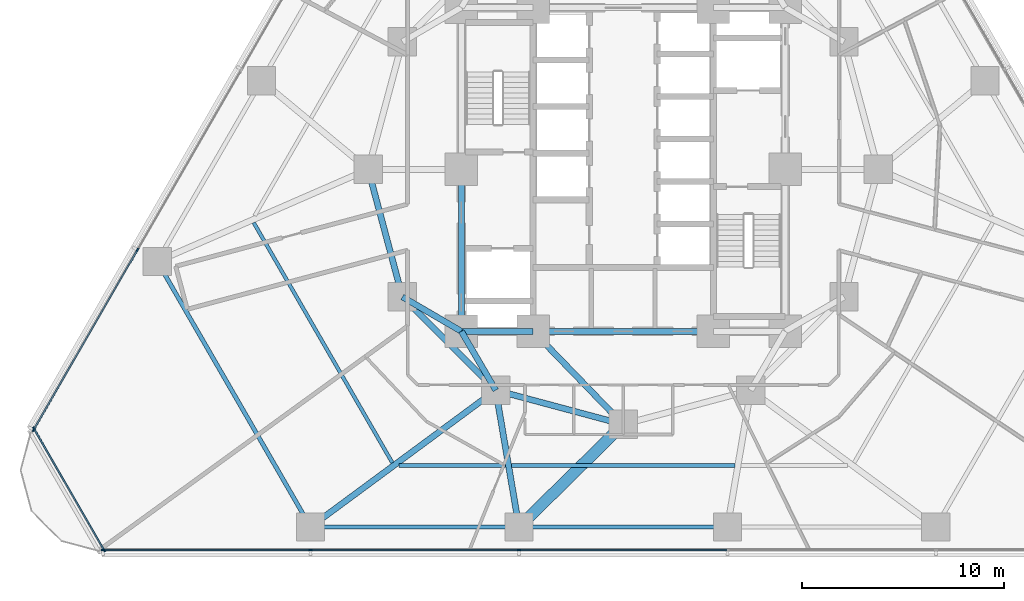
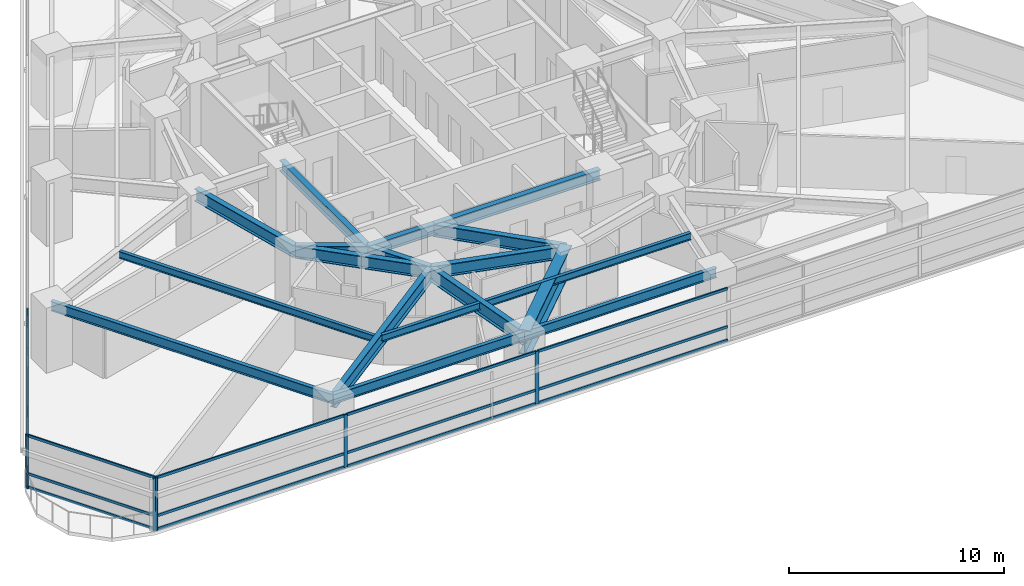
# One storey, part 2 of 16: 22 members, 18 beams, 3 elements without a shape of their own.
"""IFC4 building model written with IfcOpenShell, lengths in metres."""

from ifc_helpers import new_model, si_unit, direction, frame, origin, origin_2d, place, context, subcontext, project, spatial, rectangle, i_section, extrude, material, layer, layer_set, material_profile, profile_set, type_object, element, aggregate, save


model = new_model("IFC4")

# Units and contexts
model_context = context("Model", 3, precision=1e-05, world=origin(), true_north=direction((0.0, 1.0)))
body_context = subcontext(model_context, "Body", "Model", "MODEL_VIEW")
ifc_project = project(units=[si_unit("LENGTHUNIT", "METRE"), si_unit("AREAUNIT", "SQUARE_METRE"), si_unit("VOLUMEUNIT", "CUBIC_METRE"), si_unit("PLANEANGLEUNIT", "RADIAN"), si_unit("MASSUNIT", "GRAM", prefix="KILO")], contexts=[model_context])

# Site, building, storey
site_placement = place(None, origin())
site = spatial("IfcSite", under=ifc_project, at=site_placement, CompositionType="ELEMENT")
building_placement = place(site_placement, origin())
building = spatial("IfcBuilding", under=site, at=building_placement, Name="Terralouvre Media Tower", CompositionType="ELEMENT")
storey_placement = place(building_placement, frame((0.0, 0.0, 40.800048828125)))
storey = spatial("IfcBuildingStorey", under=building, at=storey_placement, Name="L09", CompositionType="ELEMENT", Elevation=40.800048828125)

# Beams
ifc_material_1 = material(Name="Structural steel S355J2", Category="steel")
ifc_material_profile_1 = material_profile(ifc_material_1, i_section(OverallWidth=0.179931640625, OverallDepth=0.39990234375, WebThickness=0.008544921875, FlangeThickness=0.013427734375, at=origin_2d()), Name="IPE 400")
ifc_profile_set_1 = profile_set([ifc_material_profile_1], Name="Structural steel S355J2")
beam_type_1 = type_object("IfcBeamType", Name="Composite Floor Joist J-IPE400 (IPE 400)", PredefinedType="JOIST", material=ifc_profile_set_1)
beam_1_placement = place(storey_placement, frame((-18.2587890625, -2.630615234375, 3.300048828125), z_axis=(0.500011895338, -0.866018535899, 0.0), x_axis=(0.866018535899, 0.500011895338, 0.0)))
element("IfcBeam", 1, at=beam_1_placement, inside=storey, type_object=beam_type_1, Name="L09 Framing Beam JT-L09-01", PredefinedType="JOIST", context=body_context, shape_type="SweptSolid", body=[
    extrude(i_section(OverallWidth=0.179931640625, OverallDepth=0.39990234375, WebThickness=0.008544921875, FlangeThickness=0.013427734375, at=origin_2d()), origin(), (0.0, 0.0, 1.0), 13.702392578125),
])
beam_2_placement = place(storey_placement, frame((-11.08203125, -14.627197265625, 3.300048828125), z_axis=(1.0, 0.0, 0.0), x_axis=(0.0, 1.0, 0.0)))
element("IfcBeam", 2, at=beam_2_placement, inside=storey, type_object=beam_type_1, Name="L09 Framing Beam JT-L09-02", PredefinedType="JOIST", context=body_context, shape_type="SweptSolid", body=[
    extrude(i_section(OverallWidth=0.179931640625, OverallDepth=0.39990234375, WebThickness=0.008544921875, FlangeThickness=0.013427734375, at=origin_2d()), origin(), (0.0, 0.0, 1.0), 5.264404296875),
])
beam_3_placement = place(storey_placement, frame((-5.517333984375, -14.627197265625, 3.300048828125), z_axis=(1.0, 0.0, 0.0), x_axis=(0.0, 1.0, 0.0)))
element("IfcBeam", 3, at=beam_3_placement, inside=storey, type_object=beam_type_1, Name="L09 Framing Beam JT-L09-03", PredefinedType="JOIST", context=body_context, shape_type="SweptSolid", body=[
    extrude(i_section(OverallWidth=0.179931640625, OverallDepth=0.39990234375, WebThickness=0.008544921875, FlangeThickness=0.013427734375, at=origin_2d()), origin(), (0.0, 0.0, 1.0), 11.03466796875),
])

# Curtain wall, members
ifc_material_2 = material(Name="Low-iron laminated double glazing with solar-control coating", Category="glass")
ifc_layer_1 = layer(ifc_material_2, 0.1650390625, Name="Lower Media Tower Unitised Curtain Wall CW-02")
ifc_layer_set_1 = layer_set([ifc_layer_1], Name="Low-iron laminated double glazing with solar-control coating")
curtain_wall_type_1 = type_object("IfcCurtainWallType", Name="Lower Media Tower Unitised Curtain Wall CW-02", PredefinedType="NOTDEFINED", material=ifc_layer_set_1)
curtain_wall_1_placement = place(storey_placement, origin())
curtain_wall_1 = element("IfcCurtainWall", 4, at=curtain_wall_1_placement, inside=storey, type_object=curtain_wall_type_1, Name="L09 Facade Curtain Wall F0", PredefinedType="NOTDEFINED")
ifc_material_3 = material(Name="Anodised extruded aluminium 6063-T6", Category="aluminium")
ifc_material_profile_2 = material_profile(ifc_material_3, rectangle(XDim=0.074951171875, YDim=0.14990234375, at=origin_2d()), Name="ALU 75x150")
ifc_profile_set_2 = profile_set([ifc_material_profile_2], Name="Anodised extruded aluminium 6063-T6")
member_type_1 = type_object("IfcMemberType", Name="Curtain-Wall Horizontal Transom TR-150", PredefinedType="USERDEFINED", material=ifc_profile_set_2)
member_1_placement = place(storey_placement, frame((-25.675048828125, -18.796875, 0.037353515625), z_axis=(1.0, 0.0, 0.0), x_axis=(0.0, 1.0, 0.0)))
member_1 = element("IfcMember", 5, at=member_1_placement, type_object=member_type_1, Name="CW-02 transom 1.1", ObjectType="TRANSOM", PredefinedType="USERDEFINED", context=body_context, shape_type="SweptSolid", body=[
    extrude(rectangle(XDim=0.074951171875, YDim=0.14990234375, at=origin_2d()), origin(), (0.0, 0.0, 1.0), 10.1875),
])
member_2_placement = place(storey_placement, frame((-25.675048828125, -18.796875, 0.800048828125), z_axis=(1.0, 0.0, 0.0), x_axis=(0.0, 1.0, 0.0)))
member_2 = element("IfcMember", 6, at=member_2_placement, type_object=member_type_1, Name="CW-02 transom 1.2", ObjectType="TRANSOM", PredefinedType="USERDEFINED", context=body_context, shape_type="SweptSolid", body=[
    extrude(rectangle(XDim=0.074951171875, YDim=0.14990234375, at=origin_2d()), origin(), (0.0, 0.0, 1.0), 10.1875),
])
member_3_placement = place(storey_placement, frame((-25.675048828125, -18.796875, 2.96240234375), z_axis=(1.0, 0.0, 0.0), x_axis=(0.0, 1.0, 0.0)))
member_3 = element("IfcMember", 7, at=member_3_placement, type_object=member_type_1, Name="CW-02 transom 1.3", ObjectType="TRANSOM", PredefinedType="USERDEFINED", context=body_context, shape_type="SweptSolid", body=[
    extrude(rectangle(XDim=0.074951171875, YDim=0.14990234375, at=origin_2d()), origin(), (0.0, 0.0, 1.0), 10.1875),
])
member_4_placement = place(storey_placement, frame((-15.41259765625, -18.796875, 0.037353515625), z_axis=(1.0, 0.0, 0.0), x_axis=(0.0, 1.0, 0.0)))
member_4 = element("IfcMember", 8, at=member_4_placement, type_object=member_type_1, Name="CW-02 transom 2.1", ObjectType="TRANSOM", PredefinedType="USERDEFINED", context=body_context, shape_type="SweptSolid", body=[
    extrude(rectangle(XDim=0.074951171875, YDim=0.14990234375, at=origin_2d()), origin(), (0.0, 0.0, 1.0), 10.22509765625),
])
member_5_placement = place(storey_placement, frame((-15.41259765625, -18.796875, 0.800048828125), z_axis=(1.0, 0.0, 0.0), x_axis=(0.0, 1.0, 0.0)))
member_5 = element("IfcMember", 9, at=member_5_placement, type_object=member_type_1, Name="CW-02 transom 2.2", ObjectType="TRANSOM", PredefinedType="USERDEFINED", context=body_context, shape_type="SweptSolid", body=[
    extrude(rectangle(XDim=0.074951171875, YDim=0.14990234375, at=origin_2d()), origin(), (0.0, 0.0, 1.0), 10.22509765625),
])
member_6_placement = place(storey_placement, frame((-15.41259765625, -18.796875, 2.96240234375), z_axis=(1.0, 0.0, 0.0), x_axis=(0.0, 1.0, 0.0)))
member_6 = element("IfcMember", 10, at=member_6_placement, type_object=member_type_1, Name="CW-02 transom 2.3", ObjectType="TRANSOM", PredefinedType="USERDEFINED", context=body_context, shape_type="SweptSolid", body=[
    extrude(rectangle(XDim=0.074951171875, YDim=0.14990234375, at=origin_2d()), origin(), (0.0, 0.0, 1.0), 10.22509765625),
])
member_7_placement = place(storey_placement, frame((-5.112548828125, -18.796875, 0.037353515625), z_axis=(1.0, 0.0, 0.0), x_axis=(0.0, 1.0, 0.0)))
member_7 = element("IfcMember", 11, at=member_7_placement, type_object=member_type_1, Name="CW-02 transom 3.1", ObjectType="TRANSOM", PredefinedType="USERDEFINED", context=body_context, shape_type="SweptSolid", body=[
    extrude(rectangle(XDim=0.074951171875, YDim=0.14990234375, at=origin_2d()), origin(), (0.0, 0.0, 1.0), 10.22509765625),
])
member_8_placement = place(storey_placement, frame((-5.112548828125, -18.796875, 0.800048828125), z_axis=(1.0, 0.0, 0.0), x_axis=(0.0, 1.0, 0.0)))
member_8 = element("IfcMember", 12, at=member_8_placement, type_object=member_type_1, Name="CW-02 transom 3.2", ObjectType="TRANSOM", PredefinedType="USERDEFINED", context=body_context, shape_type="SweptSolid", body=[
    extrude(rectangle(XDim=0.074951171875, YDim=0.14990234375, at=origin_2d()), origin(), (0.0, 0.0, 1.0), 10.22509765625),
])
member_9_placement = place(storey_placement, frame((-5.112548828125, -18.796875, 2.96240234375), z_axis=(1.0, 0.0, 0.0), x_axis=(0.0, 1.0, 0.0)))
member_9 = element("IfcMember", 13, at=member_9_placement, type_object=member_type_1, Name="CW-02 transom 3.3", ObjectType="TRANSOM", PredefinedType="USERDEFINED", context=body_context, shape_type="SweptSolid", body=[
    extrude(rectangle(XDim=0.074951171875, YDim=0.14990234375, at=origin_2d()), origin(), (0.0, 0.0, 1.0), 10.22509765625),
])

curtain_wall_2_placement = place(storey_placement, origin())
curtain_wall_2 = element("IfcCurtainWall", 14, at=curtain_wall_2_placement, inside=storey, type_object=curtain_wall_type_1, Name="L09 Facade Curtain Wall F2", PredefinedType="NOTDEFINED")
member_10_placement = place(storey_placement, frame((-24.022216796875, -4.01416015625, 0.037353515625), z_axis=(-0.499994895054, -0.866028351106, 0.0), x_axis=(0.866028351106, -0.499994895054, 0.0)))
member_10 = element("IfcMember", 15, at=member_10_placement, type_object=member_type_1, Name="CW-02 transom 5.1", ObjectType="TRANSOM", PredefinedType="USERDEFINED", context=body_context, shape_type="SweptSolid", body=[
    extrude(rectangle(XDim=0.074951171875, YDim=0.14990234375, at=origin_2d()), origin(), (0.0, 0.0, 1.0), 10.1875),
])
member_11_placement = place(storey_placement, frame((-24.022216796875, -4.01416015625, 0.800048828125), z_axis=(-0.499994895054, -0.866028351106, 0.0), x_axis=(0.866028351106, -0.499994895054, 0.0)))
member_11 = element("IfcMember", 16, at=member_11_placement, type_object=member_type_1, Name="CW-02 transom 5.2", ObjectType="TRANSOM", PredefinedType="USERDEFINED", context=body_context, shape_type="SweptSolid", body=[
    extrude(rectangle(XDim=0.074951171875, YDim=0.14990234375, at=origin_2d()), origin(), (0.0, 0.0, 1.0), 10.1875),
])
member_12_placement = place(storey_placement, frame((-24.022216796875, -4.01416015625, 2.96240234375), z_axis=(-0.499994895054, -0.866028351106, 0.0), x_axis=(0.866028351106, -0.499994895054, 0.0)))
member_12 = element("IfcMember", 17, at=member_12_placement, type_object=member_type_1, Name="CW-02 transom 5.3", ObjectType="TRANSOM", PredefinedType="USERDEFINED", context=body_context, shape_type="SweptSolid", body=[
    extrude(rectangle(XDim=0.074951171875, YDim=0.14990234375, at=origin_2d()), origin(), (0.0, 0.0, 1.0), 10.1875),
])

ifc_material_4 = material(Name="Low-iron laminated double glazing with solar-control coating", Category="glass")
ifc_layer_2 = layer(ifc_material_4, 0.1650390625, Name="Rounded Wind-Corner Curved Glazing CW-04")
ifc_layer_set_2 = layer_set([ifc_layer_2], Name="Low-iron laminated double glazing with solar-control coating")
curtain_wall_type_2 = type_object("IfcCurtainWallType", Name="Rounded Wind-Corner Curved Glazing CW-04", PredefinedType="NOTDEFINED", material=ifc_layer_set_2)
curtain_wall_3_placement = place(storey_placement, origin())
curtain_wall_3 = element("IfcCurtainWall", 18, at=curtain_wall_3_placement, inside=storey, type_object=curtain_wall_type_2, Name="L09 Rounded Wind-Corner Curtain Wall C0", PredefinedType="NOTDEFINED")
member_13_placement = place(storey_placement, frame((-29.0986328125, -12.836669921875, 0.037353515625), z_axis=(0.499998495495, -0.866026272409, 0.0), x_axis=(0.866026272409, 0.499998495495, 0.0)))
member_13 = element("IfcMember", 19, at=member_13_placement, type_object=member_type_1, Name="CW-04 transom 1.1", ObjectType="TRANSOM", PredefinedType="USERDEFINED", context=body_context, shape_type="SweptSolid", body=[
    extrude(rectangle(XDim=0.074951171875, YDim=0.14990234375, at=origin_2d()), origin(), (0.0, 0.0, 1.0), 6.86474609375),
])
member_14_placement = place(storey_placement, frame((-29.0986328125, -12.836669921875, 0.800048828125), z_axis=(0.499998495495, -0.866026272409, 0.0), x_axis=(0.866026272409, 0.499998495495, 0.0)))
member_14 = element("IfcMember", 20, at=member_14_placement, type_object=member_type_1, Name="CW-04 transom 1.2", ObjectType="TRANSOM", PredefinedType="USERDEFINED", context=body_context, shape_type="SweptSolid", body=[
    extrude(rectangle(XDim=0.074951171875, YDim=0.14990234375, at=origin_2d()), origin(), (0.0, 0.0, 1.0), 6.86474609375),
])
member_15_placement = place(storey_placement, frame((-29.0986328125, -12.836669921875, 2.96240234375), z_axis=(0.499998495495, -0.866026272409, 0.0), x_axis=(0.866026272409, 0.499998495495, 0.0)))
member_15 = element("IfcMember", 21, at=member_15_placement, type_object=member_type_1, Name="CW-04 transom 1.3", ObjectType="TRANSOM", PredefinedType="USERDEFINED", context=body_context, shape_type="SweptSolid", body=[
    extrude(rectangle(XDim=0.074951171875, YDim=0.14990234375, at=origin_2d()), origin(), (0.0, 0.0, 1.0), 6.86474609375),
])

# Member
ifc_material_5 = material(Name="Anodised extruded aluminium 6063-T6", Category="aluminium")
ifc_material_profile_3 = material_profile(ifc_material_5, rectangle(XDim=0.074951171875, YDim=0.179931640625, at=origin_2d()), Name="ALU 75x180")
ifc_profile_set_3 = profile_set([ifc_material_profile_3], Name="Anodised extruded aluminium 6063-T6")
member_type_2 = type_object("IfcMemberType", Name="Curtain-Wall Vertical Mullion ML-180", PredefinedType="MULLION", material=ifc_profile_set_3)
member_16_placement = place(storey_placement, frame((-25.71240234375, -18.796875, 0.0), z_axis=(0.0, 0.0, 1.0), x_axis=(0.0, 1.0, 0.0)))
member_16 = element("IfcMember", 22, at=member_16_placement, type_object=member_type_2, Name="CW-02 mullion 1", PredefinedType="MULLION", context=body_context, shape_type="SweptSolid", body=[
    extrude(rectangle(XDim=0.074951171875, YDim=0.179931640625, at=origin_2d()), origin(), (0.0, 0.0, 1.0), 3.0),
])

member_17_placement = place(storey_placement, frame((-15.449951171875, -18.796875, 0.0), z_axis=(0.0, 0.0, 1.0), x_axis=(0.0, 1.0, 0.0)))
member_17 = element("IfcMember", 23, at=member_17_placement, type_object=member_type_2, Name="CW-02 mullion 2", PredefinedType="MULLION", context=body_context, shape_type="SweptSolid", body=[
    extrude(rectangle(XDim=0.074951171875, YDim=0.179931640625, at=origin_2d()), origin(), (0.0, 0.0, 1.0), 3.0),
])

member_18_placement = place(storey_placement, frame((-5.14990234375, -18.796875, 0.0), z_axis=(0.0, 0.0, 1.0), x_axis=(0.0, 1.0, 0.0)))
member_18 = element("IfcMember", 24, at=member_18_placement, type_object=member_type_2, Name="CW-02 mullion 3", PredefinedType="MULLION", context=body_context, shape_type="SweptSolid", body=[
    extrude(rectangle(XDim=0.074951171875, YDim=0.179931640625, at=origin_2d()), origin(), (0.0, 0.0, 1.0), 3.0),
])

aggregate(curtain_wall_1, [member_16, member_17, member_18, member_1, member_2, member_3, member_4, member_5, member_6, member_7, member_8, member_9])

member_19_placement = place(storey_placement, frame((-24.00341796875, -3.981689453125, 0.0), z_axis=(0.0, 0.0, 1.0), x_axis=(0.866025412057, -0.499999985671, 0.0)))
member_19 = element("IfcMember", 25, at=member_19_placement, type_object=member_type_2, Name="CW-02 mullion 5", PredefinedType="MULLION", context=body_context, shape_type="SweptSolid", body=[
    extrude(rectangle(XDim=0.074951171875, YDim=0.179931640625, at=origin_2d()), origin(), (0.0, 0.0, 1.0), 3.0),
])

member_20_placement = place(storey_placement, frame((-29.134765625, -12.869384765625, 0.0), z_axis=(0.0, 0.0, 1.0), x_axis=(0.866025412057, -0.499999985671, 0.0)))
member_20 = element("IfcMember", 26, at=member_20_placement, type_object=member_type_2, Name="CW-02 mullion 6", PredefinedType="MULLION", context=body_context, shape_type="SweptSolid", body=[
    extrude(rectangle(XDim=0.074951171875, YDim=0.179931640625, at=origin_2d()), origin(), (0.0, 0.0, 1.0), 3.0),
])

aggregate(curtain_wall_2, [member_19, member_20, member_10, member_11, member_12])

member_21_placement = place(storey_placement, frame((-29.117431640625, -12.80419921875, 0.0), z_axis=(0.0, 0.0, 1.0), x_axis=(0.866025581895, 0.499999691503, 0.0)))
member_21 = element("IfcMember", 27, at=member_21_placement, type_object=member_type_2, Name="CW-04 mullion 1", PredefinedType="MULLION", context=body_context, shape_type="SweptSolid", body=[
    extrude(rectangle(XDim=0.074951171875, YDim=0.179931640625, at=origin_2d()), origin(), (0.0, 0.0, 1.0), 3.0),
])

member_22_placement = place(storey_placement, frame((-25.6474609375, -18.814208984375, 0.0), z_axis=(0.0, 0.0, 1.0), x_axis=(0.866025581895, 0.499999691503, 0.0)))
member_22 = element("IfcMember", 28, at=member_22_placement, type_object=member_type_2, Name="CW-04 mullion 2", PredefinedType="MULLION", context=body_context, shape_type="SweptSolid", body=[
    extrude(rectangle(XDim=0.074951171875, YDim=0.179931640625, at=origin_2d()), origin(), (0.0, 0.0, 1.0), 3.0),
])

aggregate(curtain_wall_3, [member_21, member_22, member_13, member_14, member_15])

# Beams
ifc_material_6 = material(Name="Structural steel S355J2", Category="steel")
ifc_material_profile_4 = material_profile(ifc_material_6, i_section(OverallWidth=0.2099609375, OverallDepth=0.550048828125, WebThickness=0.010986328125, FlangeThickness=0.01708984375, at=origin_2d()), Name="IPE 550")
ifc_profile_set_4 = profile_set([ifc_material_profile_4], Name="Structural steel S355J2")
beam_type_2 = type_object("IfcBeamType", Name="Perimeter Spandrel Beam SPB-550 (IPE 550)", PredefinedType="SPANDREL", material=ifc_profile_set_4)
beam_4_placement = place(storey_placement, frame((-23.02490234375, -4.546630859375, 3.224853515625), z_axis=(0.500002375365, -0.866024032363, 0.0), x_axis=(0.866024032363, 0.500002375365, 0.0)))
element("IfcBeam", 29, at=beam_4_placement, inside=storey, type_object=beam_type_2, Name="L09 Framing Beam BM-L09-PR01", PredefinedType="SPANDREL", context=body_context, shape_type="SweptSolid", body=[
    extrude(i_section(OverallWidth=0.2099609375, OverallDepth=0.550048828125, WebThickness=0.010986328125, FlangeThickness=0.01708984375, at=origin_2d()), origin(), (0.0, 0.0, 1.0), 15.14990234375),
])
beam_5_placement = place(storey_placement, frame((-15.449951171875, -17.666748046875, 3.224853515625), z_axis=(1.0, 0.0, 0.0), x_axis=(0.0, 1.0, 0.0)))
element("IfcBeam", 30, at=beam_5_placement, inside=storey, type_object=beam_type_2, Name="L09 Framing Beam BM-L09-PR02", PredefinedType="SPANDREL", context=body_context, shape_type="SweptSolid", body=[
    extrude(i_section(OverallWidth=0.2099609375, OverallDepth=0.550048828125, WebThickness=0.010986328125, FlangeThickness=0.01708984375, at=origin_2d()), origin(), (0.0, 0.0, 1.0), 10.300048828125),
])
beam_6_placement = place(storey_placement, frame((-5.14990234375, -17.666748046875, 3.21484375), z_axis=(1.0, 0.0, 0.0), x_axis=(0.0, 1.0, 0.0)))
element("IfcBeam", 31, at=beam_6_placement, inside=storey, type_object=beam_type_2, Name="L09 Framing Beam BM-L09-PR03", PredefinedType="SPANDREL", context=body_context, shape_type="SweptSolid", body=[
    extrude(i_section(OverallWidth=0.2099609375, OverallDepth=0.550048828125, WebThickness=0.010986328125, FlangeThickness=0.01708984375, at=origin_2d()), origin(), (0.0, 0.0, 1.0), 10.2998046875),
])
ifc_material_7 = material(Name="Structural steel S460M", Category="steel")
ifc_material_profile_5 = material_profile(ifc_material_7, i_section(OverallWidth=0.300048828125, OverallDepth=0.60009765625, WebThickness=0.015380859375, FlangeThickness=0.030029296875, at=origin_2d()), Name="HEB 600")
ifc_profile_set_5 = profile_set([ifc_material_profile_5], Name="Structural steel S460M")
beam_type_3 = type_object("IfcBeamType", Name="Primary Floor Girder B-HEB600 (HEB 600)", PredefinedType="BEAM", material=ifc_profile_set_5)
beam_7_placement = place(storey_placement, frame((-8.0, -8.0, 3.199951171875), z_axis=(1.0, 0.0, 0.0), x_axis=(0.0, 1.0, 0.0)))
element("IfcBeam", 32, at=beam_7_placement, inside=storey, type_object=beam_type_3, Name="L09 Framing Beam BM-L09-CPR01", PredefinedType="BEAM", context=body_context, shape_type="SweptSolid", body=[
    extrude(i_section(OverallWidth=0.300048828125, OverallDepth=0.60009765625, WebThickness=0.015380859375, FlangeThickness=0.030029296875, at=origin_2d()), origin(), (0.0, 0.0, 1.0), 3.550048828125),
])
beam_8_placement = place(storey_placement, frame((-4.449951171875, -8.0, 3.199951171875), z_axis=(1.0, 0.0, 0.0), x_axis=(0.0, 1.0, 0.0)))
element("IfcBeam", 33, at=beam_8_placement, inside=storey, type_object=beam_type_3, Name="L09 Framing Beam BM-L09-CPR02", PredefinedType="BEAM", context=body_context, shape_type="SweptSolid", body=[
    extrude(i_section(OverallWidth=0.300048828125, OverallDepth=0.60009765625, WebThickness=0.015380859375, FlangeThickness=0.030029296875, at=origin_2d()), origin(), (0.0, 0.0, 1.0), 8.89990234375),
])
beam_9_placement = place(storey_placement, frame((-8.0, 0.0, 3.199951171875), z_axis=(0.0, -1.0, 0.0), x_axis=(1.0, 0.0, 0.0)))
element("IfcBeam", 34, at=beam_9_placement, inside=storey, type_object=beam_type_3, Name="L09 Framing Beam BM-L09-CPR10", PredefinedType="BEAM", context=body_context, shape_type="SweptSolid", body=[
    extrude(i_section(OverallWidth=0.300048828125, OverallDepth=0.60009765625, WebThickness=0.015380859375, FlangeThickness=0.030029296875, at=origin_2d()), origin(), (0.0, 0.0, 1.0), 8.0),
])
ifc_material_8 = material(Name="Structural steel S460M", Category="steel")
ifc_material_profile_6 = material_profile(ifc_material_8, i_section(OverallWidth=0.300048828125, OverallDepth=0.699951171875, WebThickness=0.01708984375, FlangeThickness=0.031982421875, at=origin_2d()), Name="HEB 700")
ifc_profile_set_6 = profile_set([ifc_material_profile_6], Name="Structural steel S460M")
beam_type_4 = type_object("IfcBeamType", Name="Primary Floor Girder B-HEB700 (HEB 700)", PredefinedType="BEAM", material=ifc_profile_set_6)
beam_10_placement = place(storey_placement, frame((-10.911865234375, -6.300048828125, 3.14990234375), z_axis=(0.707106781187, -0.707106781187, 0.0), x_axis=(0.707106781187, 0.707106781187, 0.0)))
element("IfcBeam", 35, at=beam_10_placement, inside=storey, type_object=beam_type_4, Name="L09 Framing Beam BM-L09-MR01", PredefinedType="BEAM", context=body_context, shape_type="SweptSolid", body=[
    extrude(i_section(OverallWidth=0.300048828125, OverallDepth=0.699951171875, WebThickness=0.01708984375, FlangeThickness=0.031982421875, at=origin_2d()), origin(), (0.0, 0.0, 1.0), 6.52197265625),
])
for number, where, z_axis, x_axis, name in (
    (36, (-6.300048828125, -10.911865234375, 3.14990234375), (0.965920481897, -0.258838989821, 0.0), (0.258838989821, 0.965920481897, 0.0), "L09 Framing Beam BM-L09-MR02"),
    (37, (-12.60009765625, 0.0, 3.14990234375), (0.258838989821, -0.965920481897, 0.0), (0.965920481897, 0.258838989821, 0.0), "L09 Framing Beam BM-L09-MR12"),
):
    element("IfcBeam", number, at=place(storey_placement, frame(where, z_axis=z_axis, x_axis=x_axis)), inside=storey, type_object=beam_type_4, Name=name, PredefinedType="BEAM", context=body_context, shape_type="SweptSolid", body=[
        extrude(i_section(OverallWidth=0.300048828125, OverallDepth=0.699951171875, WebThickness=0.01708984375, FlangeThickness=0.031982421875, at=origin_2d()), origin(), (0.0, 0.0, 1.0), 6.522216796875),
    ])
for number, where, z_axis, x_axis, name in (
    (38, (-8.0, -8.0, 3.14990234375), (-0.863602894532, 0.504172629717, 0.0), (-0.504172629717, -0.863602894532, 0.0), "L09 Framing Beam BM-L09-CM01"),
    (39, (-8.0, -8.0, 3.14990234375), (0.504172629717, -0.863602894532, 0.0), (0.863602894532, 0.504172629717, 0.0), "L09 Framing Beam BM-L09-CM02"),
):
    element("IfcBeam", number, at=place(storey_placement, frame(where, z_axis=z_axis, x_axis=x_axis)), inside=storey, type_object=beam_type_4, Name=name, PredefinedType="BEAM", context=body_context, shape_type="SweptSolid", body=[
        extrude(i_section(OverallWidth=0.300048828125, OverallDepth=0.699951171875, WebThickness=0.01708984375, FlangeThickness=0.031982421875, at=origin_2d()), origin(), (0.0, 0.0, 1.0), 3.371826171875),
    ])
beam_11_placement = place(storey_placement, frame((-4.449951171875, -8.0, 3.14990234375), z_axis=(0.695279715726, -0.718739255155, 0.0), x_axis=(0.718739255155, 0.695279715726, 0.0)))
element("IfcBeam", 40, at=beam_11_placement, inside=storey, type_object=beam_type_4, Name="L09 Framing Beam BM-L09-CM03", PredefinedType="BEAM", context=body_context, shape_type="SweptSolid", body=[
    extrude(i_section(OverallWidth=0.300048828125, OverallDepth=0.699951171875, WebThickness=0.01708984375, FlangeThickness=0.031982421875, at=origin_2d()), origin(), (0.0, 0.0, 1.0), 6.400146484375),
])
ifc_material_9 = material(Name="Structural steel S460M", Category="steel")
ifc_material_profile_7 = material_profile(ifc_material_9, i_section(OverallWidth=0.300048828125, OverallDepth=0.800048828125, WebThickness=0.017578125, FlangeThickness=0.032958984375, at=origin_2d()), Name="HEB 800")
ifc_profile_set_7 = profile_set([ifc_material_profile_7], Name="Structural steel S460M")
beam_type_5 = type_object("IfcBeamType", Name="Primary Floor Girder B-HEB800 (HEB 800)", PredefinedType="BEAM", material=ifc_profile_set_7)
beam_12_placement = place(storey_placement, frame((-6.300048828125, -10.911865234375, 3.099853515625), z_axis=(-0.804515955091, -0.593931038088, 0.0), x_axis=(0.593931038088, -0.804515955091, 0.0)))
element("IfcBeam", 41, at=beam_12_placement, inside=storey, type_object=beam_type_5, Name="L09 Framing Beam BM-L09-RD02", PredefinedType="BEAM", context=body_context, shape_type="SweptSolid", body=[
    extrude(i_section(OverallWidth=0.300048828125, OverallDepth=0.800048828125, WebThickness=0.017578125, FlangeThickness=0.032958984375, at=origin_2d()), origin(), (0.0, 0.0, 1.0), 11.373291015625),
])
beam_13_placement = place(storey_placement, frame((-6.300048828125, -10.911865234375, 3.099853515625), z_axis=(0.167853129882, -0.98581201392, 0.0), x_axis=(0.98581201392, 0.167853129882, 0.0)))
element("IfcBeam", 42, at=beam_13_placement, inside=storey, type_object=beam_type_5, Name="L09 Framing Beam BM-L09-RD03", PredefinedType="BEAM", context=body_context, shape_type="SweptSolid", body=[
    extrude(i_section(OverallWidth=0.300048828125, OverallDepth=0.800048828125, WebThickness=0.017578125, FlangeThickness=0.032958984375, at=origin_2d()), origin(), (0.0, 0.0, 1.0), 6.85205078125),
])
ifc_material_10 = material(Name="Structural steel S460M", Category="steel")
ifc_material_profile_8 = material_profile(ifc_material_10, i_section(OverallWidth=0.56005859375, OverallDepth=1.39990234375, WebThickness=0.031982421875, FlangeThickness=0.050048828125, at=origin_2d()), Name="TG 1400x560")
ifc_profile_set_8 = profile_set([ifc_material_profile_8], Name="Structural steel S460M")
beam_type_6 = type_object("IfcBeamType", Name="Welded Transfer Girder TG-1400 (TG 1400x560)", PredefinedType="USERDEFINED", material=ifc_profile_set_8)
beam_14_placement = place(storey_placement, frame((0.0, -12.60009765625, 2.800048828125), z_axis=(-0.712845138324, -0.701321473198, 0.0), x_axis=(0.701321473198, -0.712845138324, 0.0)))
element("IfcBeam", 43, at=beam_14_placement, inside=storey, type_object=beam_type_6, Name="L09 Framing Beam BM-L09-SG02", ObjectType="TRANSFER GIRDER", PredefinedType="USERDEFINED", context=body_context, shape_type="SweptSolid", body=[
    extrude(i_section(OverallWidth=0.56005859375, OverallDepth=1.39990234375, WebThickness=0.031982421875, FlangeThickness=0.050048828125, at=origin_2d()), origin(), (0.0, 0.0, 1.0), 7.224365234375),
])

save(model, "model.ifc")
